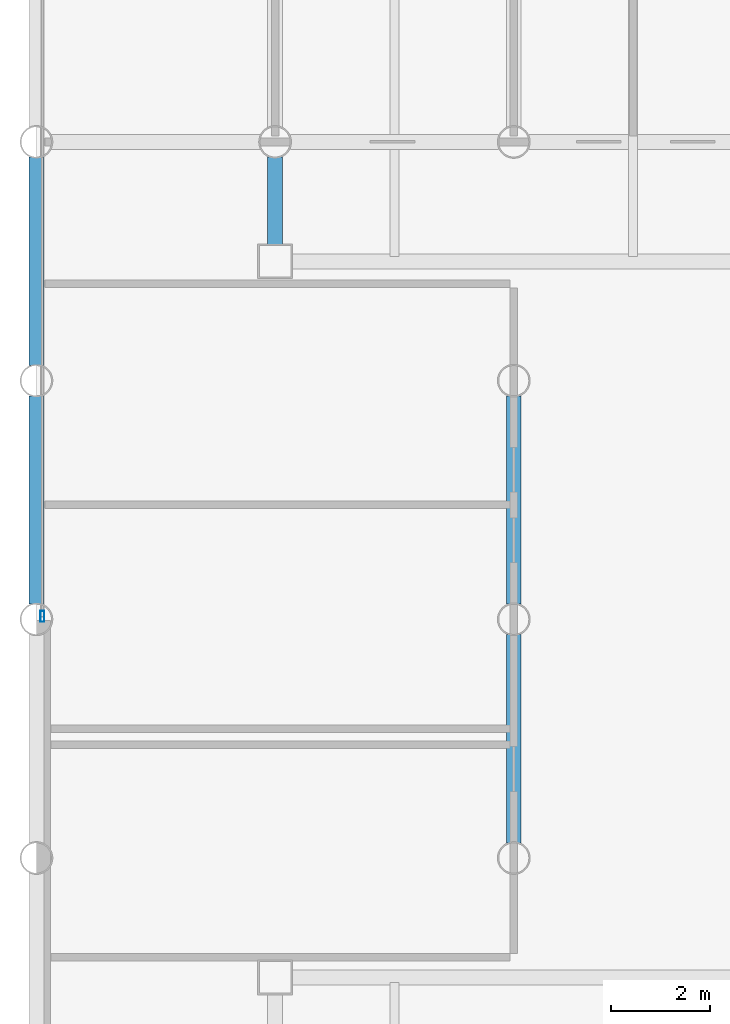
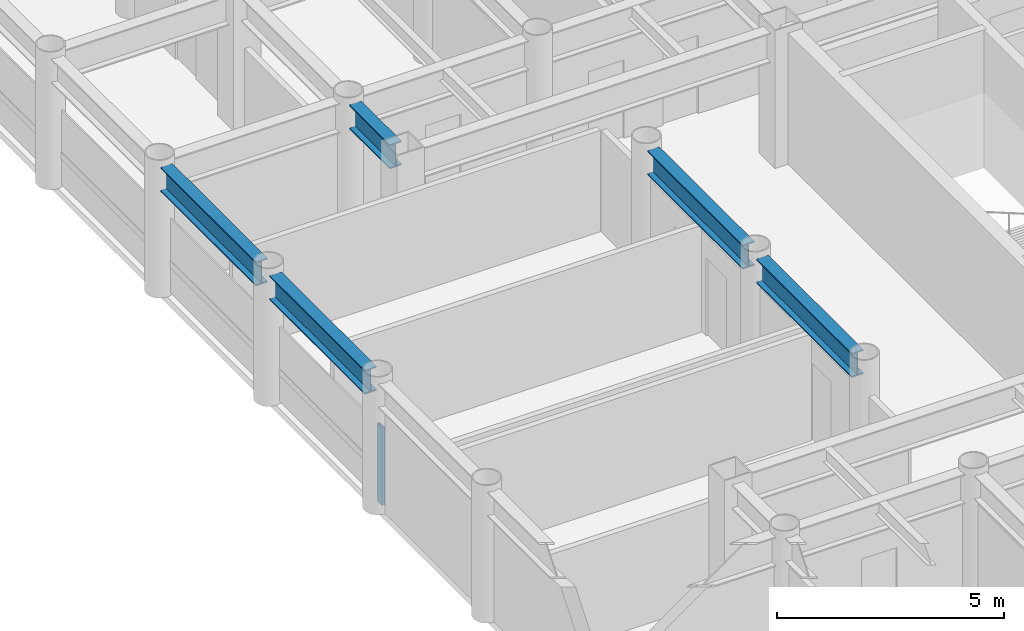
# One storey, part 4 of 22: 5 beams, 1 member, 1 element without a shape of its own.
"""IFC4 building model written with IfcOpenShell, lengths in metres."""

from ifc_helpers import new_model, si_unit, direction, frame, origin, origin_2d, place, context, subcontext, project, spatial, hollow_rectangle, i_section, extrude, material, layer, layer_set, material_profile, profile_set, type_object, element, aggregate, save


model = new_model("IFC4")

# Units and contexts
model_context = context("Model", 3, precision=1e-05, world=origin(), true_north=direction((0.0, 1.0)))
body_context = subcontext(model_context, "Body", "Model", "MODEL_VIEW")
ifc_project = project(units=[si_unit("LENGTHUNIT", "METRE"), si_unit("AREAUNIT", "SQUARE_METRE"), si_unit("VOLUMEUNIT", "CUBIC_METRE"), si_unit("PLANEANGLEUNIT", "RADIAN"), si_unit("MASSUNIT", "GRAM", prefix="KILO")], contexts=[model_context])

# Site, building, storey
site_placement = place(None, origin())
site = spatial("IfcSite", under=ifc_project, at=site_placement, CompositionType="ELEMENT")
building_placement = place(site_placement, origin())
building = spatial("IfcBuilding", under=site, at=building_placement, Name="Kallvorn Hotel Tower", CompositionType="ELEMENT")
storey_placement = place(building_placement, frame((0.0, 0.0, 117.39990234375)))
storey = spatial("IfcBuildingStorey", under=building, at=storey_placement, Name="L28", CompositionType="ELEMENT", Elevation=117.39990234375)

# Beams
ifc_material_1 = material(Name="Structural steel S355JR", Category="steel")
ifc_material_profile_1 = material_profile(ifc_material_1, i_section(OverallWidth=0.300048828125, OverallDepth=0.64990234375, WebThickness=0.01611328125, FlangeThickness=0.031005859375, at=origin_2d()), Name="HE 650 B")
ifc_profile_set_1 = profile_set([ifc_material_profile_1], Name="Structural steel S355JR")
beam_type = type_object("IfcBeamType", Name="BM_HE650B", PredefinedType="BEAM", material=ifc_profile_set_1)
beam_1_placement = place(storey_placement, frame((-28.800048828125, 0.304931640625, 3.195068359375), z_axis=(0.0, 1.0, 0.0), x_axis=(-1.0, 0.0, 0.0)))
element("IfcBeam", 1, at=beam_1_placement, inside=storey, type_object=beam_type, Name="L29 Primary Y-Girder 77", PredefinedType="BEAM", context=body_context, shape_type="SweptSolid", body=[
    extrude(i_section(OverallWidth=0.300048828125, OverallDepth=0.64990234375, WebThickness=0.01611328125, FlangeThickness=0.031005859375, at=origin_2d()), origin(), (0.0, 0.0, 1.0), 4.190185546875),
])
beam_2_placement = place(storey_placement, frame((-28.800048828125, 5.10498046875, 3.195068359375), z_axis=(0.0, 1.0, 0.0), x_axis=(-1.0, 0.0, 0.0)))
element("IfcBeam", 2, at=beam_2_placement, inside=storey, type_object=beam_type, Name="L29 Primary Y-Girder 78", PredefinedType="BEAM", context=body_context, shape_type="SweptSolid", body=[
    extrude(i_section(OverallWidth=0.300048828125, OverallDepth=0.64990234375, WebThickness=0.01611328125, FlangeThickness=0.031005859375, at=origin_2d()), origin(), (0.0, 0.0, 1.0), 4.18994140625),
])
beam_3_placement = place(storey_placement, frame((-24.0, 7.52490234375, 3.195068359375), z_axis=(0.0, 1.0, 0.0), x_axis=(-1.0, 0.0, 0.0)))
element("IfcBeam", 3, at=beam_3_placement, inside=storey, type_object=beam_type, Name="L29 Primary Y-Girder 84", PredefinedType="BEAM", context=body_context, shape_type="SweptSolid", body=[
    extrude(i_section(OverallWidth=0.300048828125, OverallDepth=0.64990234375, WebThickness=0.01611328125, FlangeThickness=0.031005859375, at=origin_2d()), origin(), (0.0, 0.0, 1.0), 1.77001953125),
])
for number, where, z_axis, x_axis, name in (
    (4, (-19.199951171875, -4.4951171875, 3.195068359375), (0.0, 1.0, 0.0), (-1.0, 0.0, 0.0), "L29 Primary Y-Girder 91"),
    (5, (-19.199951171875, 0.304931640625, 3.195068359375), (0.0, 1.0, 0.0), (-1.0, 0.0, 0.0), "L29 Primary Y-Girder 92"),
):
    element("IfcBeam", number, at=place(storey_placement, frame(where, z_axis=z_axis, x_axis=x_axis)), inside=storey, type_object=beam_type, Name=name, PredefinedType="BEAM", context=body_context, shape_type="SweptSolid", body=[
        extrude(i_section(OverallWidth=0.300048828125, OverallDepth=0.64990234375, WebThickness=0.01611328125, FlangeThickness=0.031005859375, at=origin_2d()), origin(), (0.0, 0.0, 1.0), 4.190185546875),
    ])

# Curtain wall, member
ifc_material_2 = material(Name="Thermally broken black-anodised aluminium AA 6063-T6", Category="aluminium")
ifc_layer = layer(ifc_material_2, 0.199951171875)
ifc_layer_set = layer_set([ifc_layer], Name="CW_SYS_3_HOTEL_LOW")
curtain_wall_type = type_object("IfcCurtainWallType", Name="CW_SYS_3_HOTEL_LOW", PredefinedType="USERDEFINED", material=ifc_layer_set)
curtain_wall_placement = place(storey_placement, origin())
curtain_wall = element("IfcCurtainWall", 6, at=curtain_wall_placement, inside=storey, type_object=curtain_wall_type, Name="L28 Dark-Glass Curtain Wall CW-L28-WN", ObjectType="UNITISED CURTAIN WALL", PredefinedType="USERDEFINED")
ifc_material_3 = material(Name="Thermally broken black-anodised aluminium AA 6063-T6", Category="aluminium")
ifc_material_profile_2 = material_profile(ifc_material_3, hollow_rectangle(XDim=0.080078125, YDim=0.219970703125, WallThickness=0.0048828125, at=origin_2d()), Name="MUL 220x80")
ifc_profile_set_2 = profile_set([ifc_material_profile_2], Name="Thermally broken black-anodised aluminium AA 6063-T6")
member_type = type_object("IfcMemberType", Name="CW_MULLION_220x80", PredefinedType="MULLION", material=ifc_profile_set_2)
member_placement = place(storey_placement, frame((-28.679931640625, 0.06005859375, 0.02001953125), z_axis=(0.0, 0.0, 1.0), x_axis=(1.0, 0.0, 0.0)))
member = element("IfcMember", 7, at=member_placement, type_object=member_type, Name="CW-L28-WN Mullion 00", PredefinedType="MULLION", context=body_context, shape_type="SweptSolid", body=[
    extrude(hollow_rectangle(XDim=0.080078125, YDim=0.219970703125, WallThickness=0.0048828125, at=origin_2d()), origin(), (0.0, 0.0, 1.0), 2.080078125),
])
aggregate(curtain_wall, [member])

save(model, "model.ifc")
